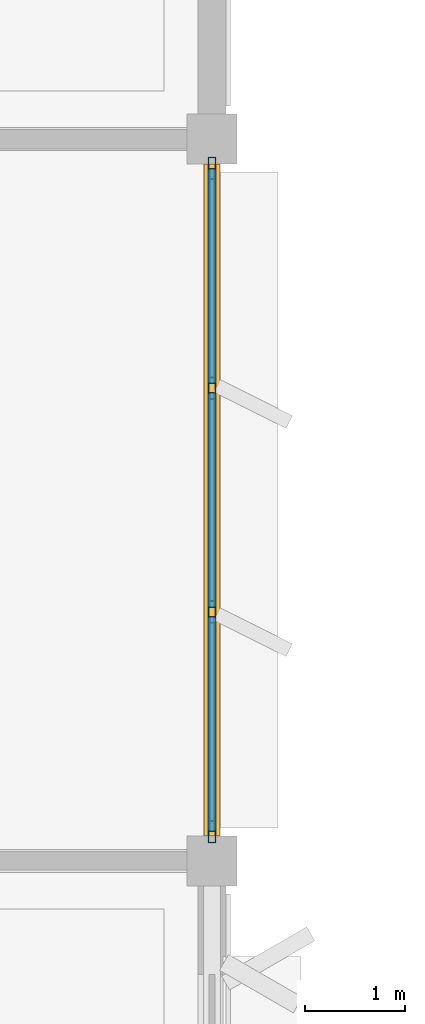
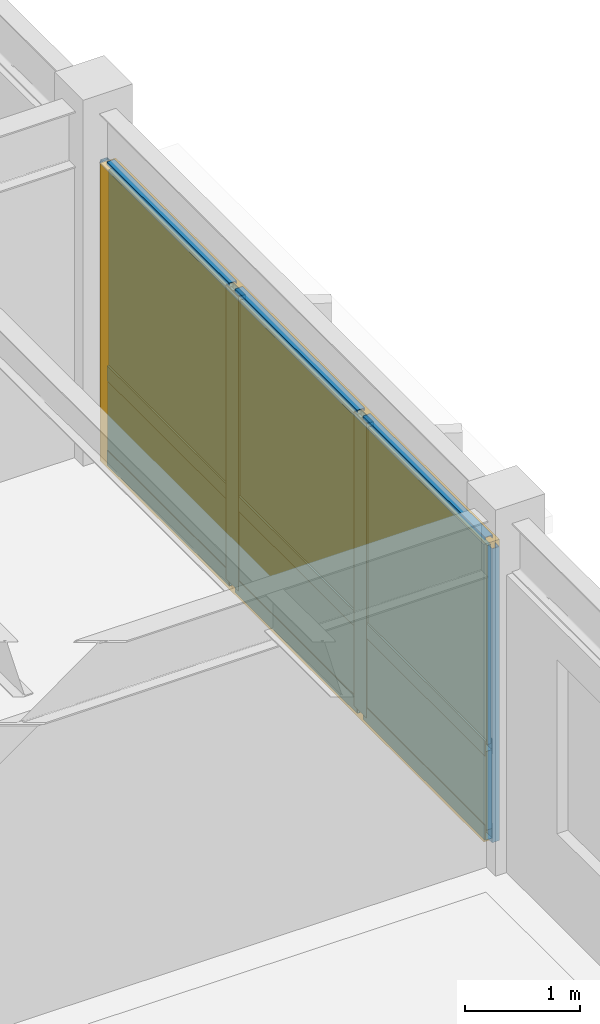
# One storey, part 69 of 82: 13 members, 6 plates, 1 curtain wall.
"""IFC4 building model written with IfcOpenShell, lengths in metres."""

from ifc_helpers import new_model, si_unit, direction, frame, origin, origin_2d, place, context, subcontext, project, spatial, rectangle, hollow_rectangle, extrude, material, layer, layer_set, material_profile, profile_set, type_object, element, aggregate, save


model = new_model("IFC4")

# Units and contexts
model_context = context("Model", 3, precision=1e-05, world=origin(), true_north=direction((0.0, 1.0)))
body_context = subcontext(model_context, "Body", "Model", "MODEL_VIEW")
ifc_project = project(units=[si_unit("LENGTHUNIT", "METRE"), si_unit("AREAUNIT", "SQUARE_METRE"), si_unit("VOLUMEUNIT", "CUBIC_METRE"), si_unit("PLANEANGLEUNIT", "RADIAN"), si_unit("MASSUNIT", "GRAM", prefix="KILO")], contexts=[model_context])

# Member
ifc_material_1 = material(Name="Anodized Aluminium 6063-T6", Category="aluminium")
ifc_material_profile_1 = material_profile(ifc_material_1, hollow_rectangle(XDim=0.074951171875, YDim=0.219970703125, WallThickness=0.0048828125, at=origin_2d()), Name="ALU 75x220x5")
ifc_profile_set_1 = profile_set([ifc_material_profile_1], Name="Anodized Aluminium 6063-T6")
member_type_1 = type_object("IfcMemberType", Name="CWM-75X180", PredefinedType="MULLION", material=ifc_profile_set_1)
site_placement = place(None, origin())
building_placement = place(site_placement, origin())
storey_placement = place(building_placement, frame((0.0, 0.0, 14.10009765625)))
member_1_placement = place(storey_placement, frame((108.0, 107.7099609375, 0.02001953125), z_axis=(0.0, 0.0, 1.0), x_axis=(1.0, 0.0, 0.0)))
member_1 = element("IfcMember", 1, at=member_1_placement, type_object=member_type_1, Name="Curtain wall mullion CW-L04-14-14-E-00", PredefinedType="MULLION", context=body_context, shape_type="SweptSolid", body=[
    extrude(hollow_rectangle(XDim=0.074951171875, YDim=0.219970703125, WallThickness=0.0048828125, at=origin_2d()), origin(), (0.0, 0.0, 1.0), 3.1318359375),
])

member_2_placement = place(storey_placement, frame((108.0, 105.5166015625, 0.02001953125), z_axis=(0.0, 0.0, 1.0), x_axis=(1.0, 0.0, 0.0)))
member_2 = element("IfcMember", 2, at=member_2_placement, type_object=member_type_1, Name="Curtain wall mullion CW-L04-14-14-E-01", PredefinedType="MULLION", context=body_context, shape_type="SweptSolid", body=[
    extrude(hollow_rectangle(XDim=0.074951171875, YDim=0.219970703125, WallThickness=0.0048828125, at=origin_2d()), origin(), (0.0, 0.0, 1.0), 3.1318359375),
])

member_3_placement = place(storey_placement, frame((108.0, 103.283203125, 0.02001953125), z_axis=(0.0, 0.0, 1.0), x_axis=(1.0, 0.0, 0.0)))
member_3 = element("IfcMember", 3, at=member_3_placement, type_object=member_type_1, Name="Curtain wall mullion CW-L04-14-14-E-02", PredefinedType="MULLION", context=body_context, shape_type="SweptSolid", body=[
    extrude(hollow_rectangle(XDim=0.074951171875, YDim=0.219970703125, WallThickness=0.0048828125, at=origin_2d()), origin(), (0.0, 0.0, 1.0), 3.1318359375),
])

member_4_placement = place(storey_placement, frame((108.0, 101.090087890625, 0.02001953125), z_axis=(0.0, 0.0, 1.0), x_axis=(1.0, 0.0, 0.0)))
member_4 = element("IfcMember", 4, at=member_4_placement, type_object=member_type_1, Name="Curtain wall mullion CW-L04-14-14-E-03", PredefinedType="MULLION", context=body_context, shape_type="SweptSolid", body=[
    extrude(hollow_rectangle(XDim=0.074951171875, YDim=0.219970703125, WallThickness=0.0048828125, at=origin_2d()), origin(), (0.0, 0.0, 1.0), 3.1318359375),
])

ifc_material_profile_2 = material_profile(ifc_material_1, hollow_rectangle(XDim=0.074951171875, YDim=0.159912109375, WallThickness=0.00390625, at=origin_2d()), Name="ALU 75x160x4")
ifc_profile_set_2 = profile_set([ifc_material_profile_2], Name="Anodized Aluminium 6063-T6")
member_type_2 = type_object("IfcMemberType", Name="CWT-75X150", PredefinedType="USERDEFINED", material=ifc_profile_set_2)
member_5_placement = place(storey_placement, frame((108.0, 107.699951171875, 0.0498046875), z_axis=(0.0, -1.0, 0.0), x_axis=(1.0, 0.0, 0.0)))
member_5 = element("IfcMember", 5, at=member_5_placement, type_object=member_type_2, Name="Curtain wall transom CW-L04-14-14-E-1.01", ObjectType="TRANSOM", PredefinedType="USERDEFINED", context=body_context, shape_type="SweptSolid", body=[
    extrude(hollow_rectangle(XDim=0.074951171875, YDim=0.159912109375, WallThickness=0.00390625, at=origin_2d()), origin(), (0.0, 0.0, 1.0), 2.13330078125),
])

member_6_placement = place(storey_placement, frame((108.0, 105.466796875, 0.0498046875), z_axis=(0.0, -1.0, 0.0), x_axis=(1.0, 0.0, 0.0)))
member_6 = element("IfcMember", 6, at=member_6_placement, type_object=member_type_2, Name="Curtain wall transom CW-L04-14-14-E-1.02", ObjectType="TRANSOM", PredefinedType="USERDEFINED", context=body_context, shape_type="SweptSolid", body=[
    extrude(hollow_rectangle(XDim=0.074951171875, YDim=0.159912109375, WallThickness=0.00390625, at=origin_2d()), origin(), (0.0, 0.0, 1.0), 2.133544921875),
])

member_7_placement = place(storey_placement, frame((108.0, 103.2333984375, 0.0498046875), z_axis=(0.0, -1.0, 0.0), x_axis=(1.0, 0.0, 0.0)))
member_7 = element("IfcMember", 7, at=member_7_placement, type_object=member_type_2, Name="Curtain wall transom CW-L04-14-14-E-1.03", ObjectType="TRANSOM", PredefinedType="USERDEFINED", context=body_context, shape_type="SweptSolid", body=[
    extrude(hollow_rectangle(XDim=0.074951171875, YDim=0.159912109375, WallThickness=0.00390625, at=origin_2d()), origin(), (0.0, 0.0, 1.0), 2.13330078125),
])

member_8_placement = place(storey_placement, frame((108.0, 107.699951171875, 0.949951171875), z_axis=(0.0, -1.0, 0.0), x_axis=(1.0, 0.0, 0.0)))
member_8 = element("IfcMember", 8, at=member_8_placement, type_object=member_type_2, Name="Curtain wall transom CW-L04-14-14-E-2.01", ObjectType="TRANSOM", PredefinedType="USERDEFINED", context=body_context, shape_type="SweptSolid", body=[
    extrude(hollow_rectangle(XDim=0.074951171875, YDim=0.159912109375, WallThickness=0.00390625, at=origin_2d()), origin(), (0.0, 0.0, 1.0), 2.13330078125),
])

member_9_placement = place(storey_placement, frame((108.0, 105.466796875, 0.949951171875), z_axis=(0.0, -1.0, 0.0), x_axis=(1.0, 0.0, 0.0)))
member_9 = element("IfcMember", 9, at=member_9_placement, type_object=member_type_2, Name="Curtain wall transom CW-L04-14-14-E-2.02", ObjectType="TRANSOM", PredefinedType="USERDEFINED", context=body_context, shape_type="SweptSolid", body=[
    extrude(hollow_rectangle(XDim=0.074951171875, YDim=0.159912109375, WallThickness=0.00390625, at=origin_2d()), origin(), (0.0, 0.0, 1.0), 2.133544921875),
])

member_10_placement = place(storey_placement, frame((108.0, 103.2333984375, 0.949951171875), z_axis=(0.0, -1.0, 0.0), x_axis=(1.0, 0.0, 0.0)))
member_10 = element("IfcMember", 10, at=member_10_placement, type_object=member_type_2, Name="Curtain wall transom CW-L04-14-14-E-2.03", ObjectType="TRANSOM", PredefinedType="USERDEFINED", context=body_context, shape_type="SweptSolid", body=[
    extrude(hollow_rectangle(XDim=0.074951171875, YDim=0.159912109375, WallThickness=0.00390625, at=origin_2d()), origin(), (0.0, 0.0, 1.0), 2.13330078125),
])

member_11_placement = place(storey_placement, frame((108.0, 107.699951171875, 3.121826171875), z_axis=(0.0, -1.0, 0.0), x_axis=(1.0, 0.0, 0.0)))
member_11 = element("IfcMember", 11, at=member_11_placement, type_object=member_type_2, Name="Curtain wall transom CW-L04-14-14-E-3.01", ObjectType="TRANSOM", PredefinedType="USERDEFINED", context=body_context, shape_type="SweptSolid", body=[
    extrude(hollow_rectangle(XDim=0.074951171875, YDim=0.159912109375, WallThickness=0.00390625, at=origin_2d()), origin(), (0.0, 0.0, 1.0), 2.13330078125),
])

member_12_placement = place(storey_placement, frame((108.0, 105.466796875, 3.121826171875), z_axis=(0.0, -1.0, 0.0), x_axis=(1.0, 0.0, 0.0)))
member_12 = element("IfcMember", 12, at=member_12_placement, type_object=member_type_2, Name="Curtain wall transom CW-L04-14-14-E-3.02", ObjectType="TRANSOM", PredefinedType="USERDEFINED", context=body_context, shape_type="SweptSolid", body=[
    extrude(hollow_rectangle(XDim=0.074951171875, YDim=0.159912109375, WallThickness=0.00390625, at=origin_2d()), origin(), (0.0, 0.0, 1.0), 2.133544921875),
])

member_13_placement = place(storey_placement, frame((108.0, 103.2333984375, 3.121826171875), z_axis=(0.0, -1.0, 0.0), x_axis=(1.0, 0.0, 0.0)))
member_13 = element("IfcMember", 13, at=member_13_placement, type_object=member_type_2, Name="Curtain wall transom CW-L04-14-14-E-3.03", ObjectType="TRANSOM", PredefinedType="USERDEFINED", context=body_context, shape_type="SweptSolid", body=[
    extrude(hollow_rectangle(XDim=0.074951171875, YDim=0.159912109375, WallThickness=0.00390625, at=origin_2d()), origin(), (0.0, 0.0, 1.0), 2.13330078125),
])

# Plate
ifc_material_2 = material(Name="Acoustic Laminated Low-E Glazing", Category="glass")
ifc_layer_1 = layer(ifc_material_2, 0.0439453125)
ifc_layer_set_1 = layer_set([ifc_layer_1], Name="Acoustic Laminated Low-E Glazing")
plate_type_1 = type_object("IfcPlateType", Name="CWP-IGU-44", PredefinedType="CURTAIN_PANEL", material=ifc_layer_set_1)
plate_1_placement = place(storey_placement, frame((108.0, 106.63330078125, 0.98974609375), z_axis=(0.0, 0.0, 1.0), x_axis=(0.0, -1.0, 0.0)))
plate_1 = element("IfcPlate", 14, at=plate_1_placement, type_object=plate_type_1, Name="Curtain wall vision glazing CW-L04-14-14-E-01", PredefinedType="CURTAIN_PANEL", context=body_context, shape_type="SweptSolid", body=[
    extrude(rectangle(XDim=2.143310546875, YDim=0.0400390625, at=origin_2d()), origin(), (0.0, 0.0, 1.0), 2.1220703125),
])

plate_2_placement = place(storey_placement, frame((108.0, 104.39990234375, 0.98974609375), z_axis=(0.0, 0.0, 1.0), x_axis=(0.0, -1.0, 0.0)))
plate_2 = element("IfcPlate", 15, at=plate_2_placement, type_object=plate_type_1, Name="Curtain wall vision glazing CW-L04-14-14-E-02", PredefinedType="CURTAIN_PANEL", context=body_context, shape_type="SweptSolid", body=[
    extrude(rectangle(XDim=2.143310546875, YDim=0.0400390625, at=origin_2d()), origin(), (0.0, 0.0, 1.0), 2.1220703125),
])

plate_3_placement = place(storey_placement, frame((108.0, 102.166748046875, 0.98974609375), z_axis=(0.0, 0.0, 1.0), x_axis=(0.0, -1.0, 0.0)))
plate_3 = element("IfcPlate", 16, at=plate_3_placement, type_object=plate_type_1, Name="Curtain wall vision glazing CW-L04-14-14-E-03", PredefinedType="CURTAIN_PANEL", context=body_context, shape_type="SweptSolid", body=[
    extrude(rectangle(XDim=2.143310546875, YDim=0.0400390625, at=origin_2d()), origin(), (0.0, 0.0, 1.0), 2.1220703125),
])

ifc_material_3 = material(Name="Insulated Stone-Composite Spandrel", Category="masonry")
ifc_layer_2 = layer(ifc_material_3, 0.068115234375)
ifc_layer_set_2 = layer_set([ifc_layer_2], Name="Insulated Stone-Composite Spandrel")
plate_type_2 = type_object("IfcPlateType", Name="CWP-SPN-68", PredefinedType="CURTAIN_PANEL", material=ifc_layer_set_2)
plate_4_placement = place(storey_placement, frame((108.0, 106.63330078125, 0.080078125), z_axis=(0.0, 0.0, 1.0), x_axis=(0.0, -1.0, 0.0)))
plate_4 = element("IfcPlate", 17, at=plate_4_placement, type_object=plate_type_2, Name="Curtain wall spandrel panel CW-L04-14-14-E-01", PredefinedType="CURTAIN_PANEL", context=body_context, shape_type="SweptSolid", body=[
    extrude(rectangle(XDim=2.143310546875, YDim=0.06005859375, at=origin_2d()), origin(), (0.0, 0.0, 1.0), 0.840087890625),
])

plate_5_placement = place(storey_placement, frame((108.0, 104.39990234375, 0.080078125), z_axis=(0.0, 0.0, 1.0), x_axis=(0.0, -1.0, 0.0)))
plate_5 = element("IfcPlate", 18, at=plate_5_placement, type_object=plate_type_2, Name="Curtain wall spandrel panel CW-L04-14-14-E-02", PredefinedType="CURTAIN_PANEL", context=body_context, shape_type="SweptSolid", body=[
    extrude(rectangle(XDim=2.143310546875, YDim=0.06005859375, at=origin_2d()), origin(), (0.0, 0.0, 1.0), 0.840087890625),
])

plate_6_placement = place(storey_placement, frame((108.0, 102.166748046875, 0.080078125), z_axis=(0.0, 0.0, 1.0), x_axis=(0.0, -1.0, 0.0)))
plate_6 = element("IfcPlate", 19, at=plate_6_placement, type_object=plate_type_2, Name="Curtain wall spandrel panel CW-L04-14-14-E-03", PredefinedType="CURTAIN_PANEL", context=body_context, shape_type="SweptSolid", body=[
    extrude(rectangle(XDim=2.143310546875, YDim=0.06005859375, at=origin_2d()), origin(), (0.0, 0.0, 1.0), 0.840087890625),
])

# Site, building, storey
site = spatial("IfcSite", under=ifc_project, at=site_placement, CompositionType="ELEMENT")
building = spatial("IfcBuilding", under=site, at=building_placement, Name="Sillqori Civic Hall", CompositionType="ELEMENT")
storey = spatial("IfcBuildingStorey", under=building, at=storey_placement, Name="L04", CompositionType="ELEMENT", Elevation=14.10009765625)

# Curtain wall
ifc_material_4 = material(Name="Anodized Aluminium Curtain Wall System", Category="aluminium")
curtain_wall_type = type_object("IfcCurtainWallType", Name="CW-AD-370", PredefinedType="NOTDEFINED", material=ifc_material_4)
curtain_wall_placement = place(storey_placement, frame((108.0, 104.39990234375, 0.0), z_axis=(0.0, 0.0, 1.0), x_axis=(0.0, -1.0, 0.0)))
curtain_wall = element("IfcCurtainWall", 20, at=curtain_wall_placement, inside=storey, type_object=curtain_wall_type, Name="L04 unitised curtain wall CW-L04-14-14-E", PredefinedType="NOTDEFINED", context=body_context, shape_type="SweptSolid", body=[
    extrude(rectangle(XDim=6.699951171875, YDim=0.159912109375, at=origin_2d()), origin(), (0.0, 0.0, 1.0), 3.172119140625),
])

aggregate(curtain_wall, [member_1, member_2, member_3, member_4, member_5, member_6, member_7, member_8, member_9, member_10, member_11, member_12, member_13, plate_4, plate_1, plate_5, plate_2, plate_6, plate_3])

save(model, "model.ifc")
